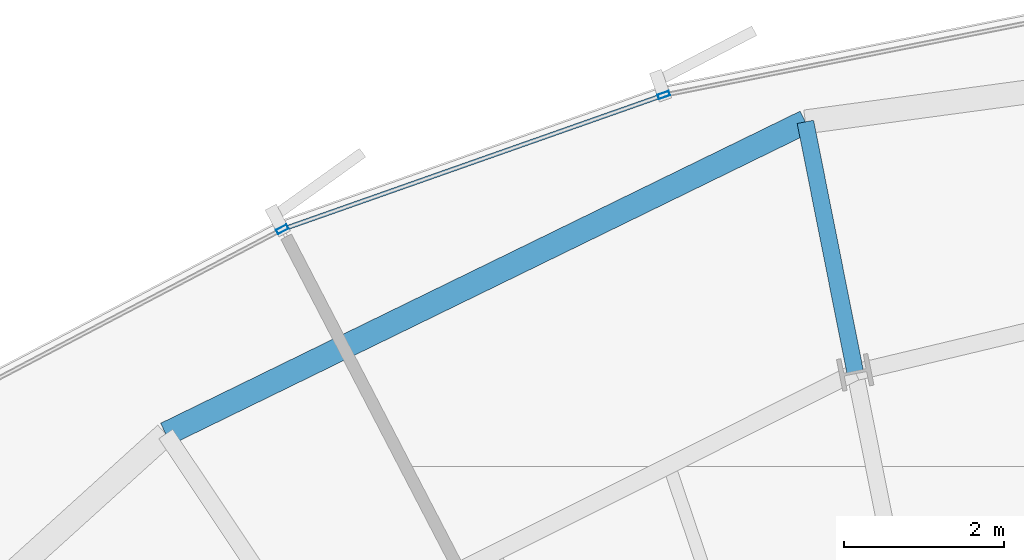
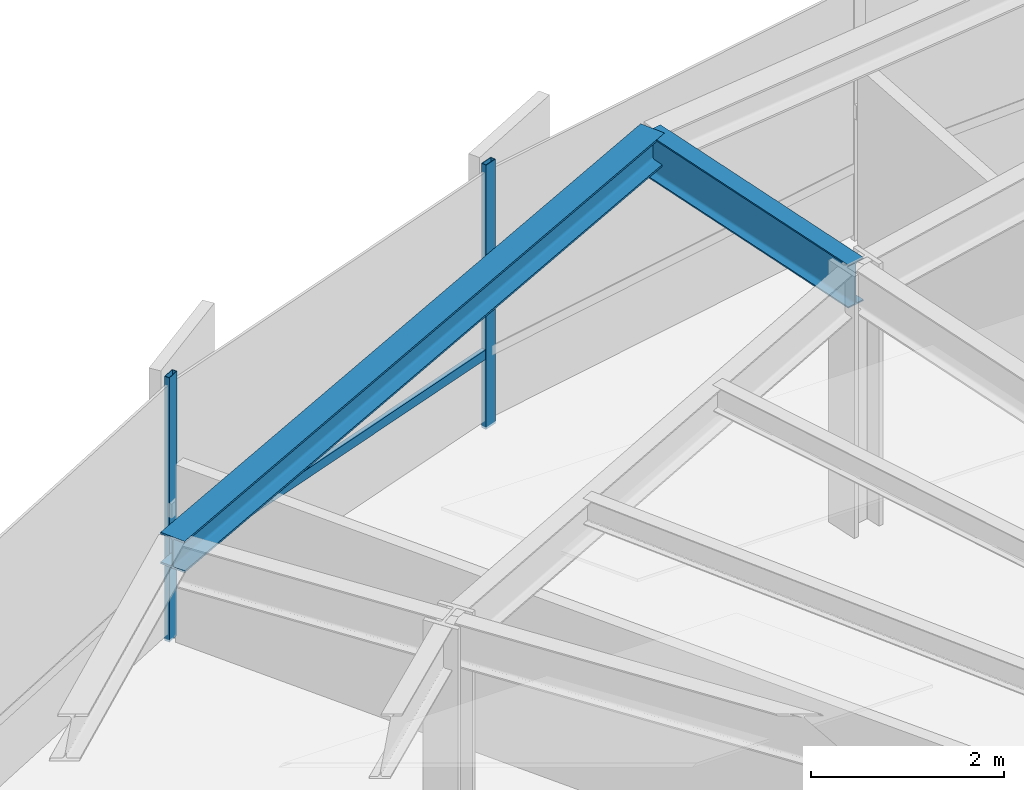
# One storey, part 20 of 35: 3 members, 2 beams, 1 element without a shape of its own.
"""IFC4 building model written with IfcOpenShell, lengths in metres."""

from ifc_helpers import new_model, si_unit, direction, frame, origin, origin_2d, place, context, subcontext, project, spatial, hollow_rectangle, i_section, extrude, source, transform, mapped, material, layer, layer_set, material_profile, profile_set, type_object, element, aggregate, save


model = new_model("IFC4")

# Units and contexts
model_context = context("Model", 3, precision=1e-05, world=origin(), true_north=direction((0.0, 1.0)))
body_context = subcontext(model_context, "Body", "Model", "MODEL_VIEW")
ifc_project = project(units=[si_unit("LENGTHUNIT", "METRE"), si_unit("AREAUNIT", "SQUARE_METRE"), si_unit("VOLUMEUNIT", "CUBIC_METRE"), si_unit("PLANEANGLEUNIT", "RADIAN"), si_unit("MASSUNIT", "GRAM", prefix="KILO"), si_unit("THERMODYNAMICTEMPERATUREUNIT", "KELVIN")], contexts=[model_context])

# Site, building, storey
site_placement = place(None, origin())
site = spatial("IfcSite", under=ifc_project, at=site_placement, CompositionType="ELEMENT")
building_placement = place(site_placement, origin())
building = spatial("IfcBuilding", under=site, at=building_placement, Name="Kethvar Cultural Tower", CompositionType="ELEMENT")
storey_placement = place(building_placement, frame((0.0, 0.0, 96.39990234375)))
storey = spatial("IfcBuildingStorey", under=building, at=storey_placement, Name="L23", CompositionType="ELEMENT", Elevation=96.39990234375)

# Beams
ifc_material_1 = material(Name="Steel S355J2", Category="steel")
ifc_material_profile_1 = material_profile(ifc_material_1, i_section(OverallWidth=0.2099609375, OverallDepth=0.550048828125, WebThickness=0.010986328125, FlangeThickness=0.01708984375, FilletRadius=0.02392578125, at=origin_2d()), Name="Steel S355J2 — IPE550")
ifc_profile_set_1 = profile_set([ifc_material_profile_1], Name="Steel S355J2 — IPE550")
beam_type_1 = type_object("IfcBeamType", Name="BM-IPE550", PredefinedType="BEAM", material=ifc_profile_set_1)
shared_shape_1 = source(origin(), body_context, "Body", "SweptSolid", [
    extrude(i_section(OverallWidth=0.2099609375, OverallDepth=0.550048828125, WebThickness=0.010986328125, FlangeThickness=0.01708984375, FilletRadius=0.02392578125, at=origin_2d()), origin(), (0.0, 0.0, 1.0), 3.199951171875),
])
beam_1_placement = place(storey_placement, frame((42.9189453125, 47.311279296875, 3.072998046875), z_axis=(-0.195088965533, 0.980785550224, 0.0), x_axis=(-0.980785550224, -0.195088965533, 0.0)))
element("IfcBeam", 1, at=beam_1_placement, inside=storey, type_object=beam_type_1, Name="L23 Perimeter Cantilever Beam RC-05", PredefinedType="BEAM", context=body_context, shape_type="MappedRepresentation", body=[
    mapped(shared_shape_1, transform((0.0, 0.0, 0.0), scale=1.0)),
])
ifc_material_profile_2 = material_profile(ifc_material_1, i_section(OverallWidth=0.300048828125, OverallDepth=0.39990234375, WebThickness=0.013427734375, FlangeThickness=0.02392578125, FilletRadius=0.027099609375, at=origin_2d()), Name="Steel S355J2 — HEB400")
ifc_profile_set_2 = profile_set([ifc_material_profile_2], Name="Steel S355J2 — HEB400")
beam_type_2 = type_object("IfcBeamType", Name="BM-SP400", PredefinedType="SPANDREL", material=ifc_profile_set_2)
shared_shape_2 = source(origin(), body_context, "Body", "SweptSolid", [
    extrude(i_section(OverallWidth=0.300048828125, OverallDepth=0.39990234375, WebThickness=0.013427734375, FlangeThickness=0.02392578125, FilletRadius=0.027099609375, at=origin_2d()), origin(), (0.0, 0.0, 1.0), 8.91845703125),
])
beam_2_placement = place(storey_placement, frame((42.294677734375, 50.44970703125, 3.148193359375), z_axis=(-0.898683713341, -0.438597290662, 0.0), x_axis=(0.438597290662, -0.898683713341, 0.0)))
element("IfcBeam", 2, at=beam_2_placement, inside=storey, type_object=beam_type_2, Name="L23 Perimeter Spandrel Beam SP-05", PredefinedType="SPANDREL", context=body_context, shape_type="MappedRepresentation", body=[
    mapped(shared_shape_2, transform((0.0, 0.0, 0.0), scale=1.0)),
])

# Curtain wall, members
ifc_material_2 = material(Name="Aluminium 6063-T6", Category="aluminium")
ifc_layer = layer(ifc_material_2, 0.179931640625, Name="Aluminium 6063-T6", Category="aluminium")
ifc_layer_set = layer_set([ifc_layer], Name="Aluminium 6063-T6 (180 mm)")
curtain_wall_type = type_object("IfcCurtainWallType", Name="CW-SYS-03-Z2", PredefinedType="NOTDEFINED", material=ifc_layer_set)
curtain_wall_placement = place(storey_placement, origin())
curtain_wall = element("IfcCurtainWall", 3, at=curtain_wall_placement, inside=storey, type_object=curtain_wall_type, Name="L23 Curtain Wall Run 02", PredefinedType="NOTDEFINED")
ifc_material_profile_3 = material_profile(ifc_material_2, hollow_rectangle(XDim=0.06005859375, YDim=0.14990234375, WallThickness=0.0048828125, at=origin_2d()), Name="Aluminium 6063-T6 — RHS150x60x5")
ifc_profile_set_3 = profile_set([ifc_material_profile_3], Name="Aluminium 6063-T6 — RHS150x60x5")
member_type_1 = type_object("IfcMemberType", Name="CW-SYS-03-Z2-MUL", PredefinedType="MULLION", material=ifc_profile_set_3)
shared_shape_3 = source(origin(), body_context, "Body", "SweptSolid", [
    extrude(hollow_rectangle(XDim=0.06005859375, YDim=0.14990234375, WallThickness=0.0048828125, at=origin_2d()), origin(), (0.0, 0.0, 1.0), 3.35009765625),
])
member_1_placement = place(storey_placement, frame((40.520263671875, 50.7861328125, 0.0), z_axis=(0.0, 0.0, 1.0), x_axis=(0.332210518451, -0.943205264738, 0.0)))
member_1 = element("IfcMember", 4, at=member_1_placement, type_object=member_type_1, Name="CW-L23-R02 Mullion 4", PredefinedType="MULLION", context=body_context, shape_type="MappedRepresentation", body=[
    mapped(shared_shape_3, transform((0.0, 0.0, 0.0), scale=1.0)),
])
member_2_placement = place(storey_placement, frame((35.739501953125, 49.103759765625, 0.0), z_axis=(0.0, 0.0, 1.0), x_axis=(0.464672053786, -0.885482852703, 0.0)))
member_2 = element("IfcMember", 5, at=member_2_placement, type_object=member_type_1, Name="CW-L23-R02 Mullion 5", PredefinedType="MULLION", context=body_context, shape_type="MappedRepresentation", body=[
    mapped(shared_shape_3, transform((0.0, 0.0, 0.0), scale=1.0)),
])
ifc_material_profile_4 = material_profile(ifc_material_2, hollow_rectangle(XDim=0.054931640625, YDim=0.1201171875, WallThickness=0.00390625, at=origin_2d()), Name="Aluminium 6063-T6 — RHS120x55x4")
ifc_profile_set_4 = profile_set([ifc_material_profile_4], Name="Aluminium 6063-T6 — RHS120x55x4")
member_type_2 = type_object("IfcMemberType", Name="CW-SYS-03-Z2-TRN", PredefinedType="USERDEFINED", material=ifc_profile_set_4)
shared_shape_4 = source(origin(), body_context, "Body", "SweptSolid", [
    extrude(hollow_rectangle(XDim=0.054931640625, YDim=0.1201171875, WallThickness=0.00390625, at=origin_2d()), origin(), (0.0, 0.0, 1.0), 4.99853515625),
])
member_3_placement = place(storey_placement, frame((40.4794921875, 50.77197265625, 0.9501953125), z_axis=(-0.943199343892, -0.332227328318, 0.0), x_axis=(0.332227328318, -0.943199343892, 0.0)))
member_3 = element("IfcMember", 6, at=member_3_placement, type_object=member_type_2, Name="CW-L23-R02 Transom 4", ObjectType="TRANSOM", PredefinedType="USERDEFINED", context=body_context, shape_type="MappedRepresentation", body=[
    mapped(shared_shape_4, transform((0.0, 0.0, 0.0), scale=1.0)),
])
aggregate(curtain_wall, [member_1, member_2, member_3])

save(model, "model.ifc")
